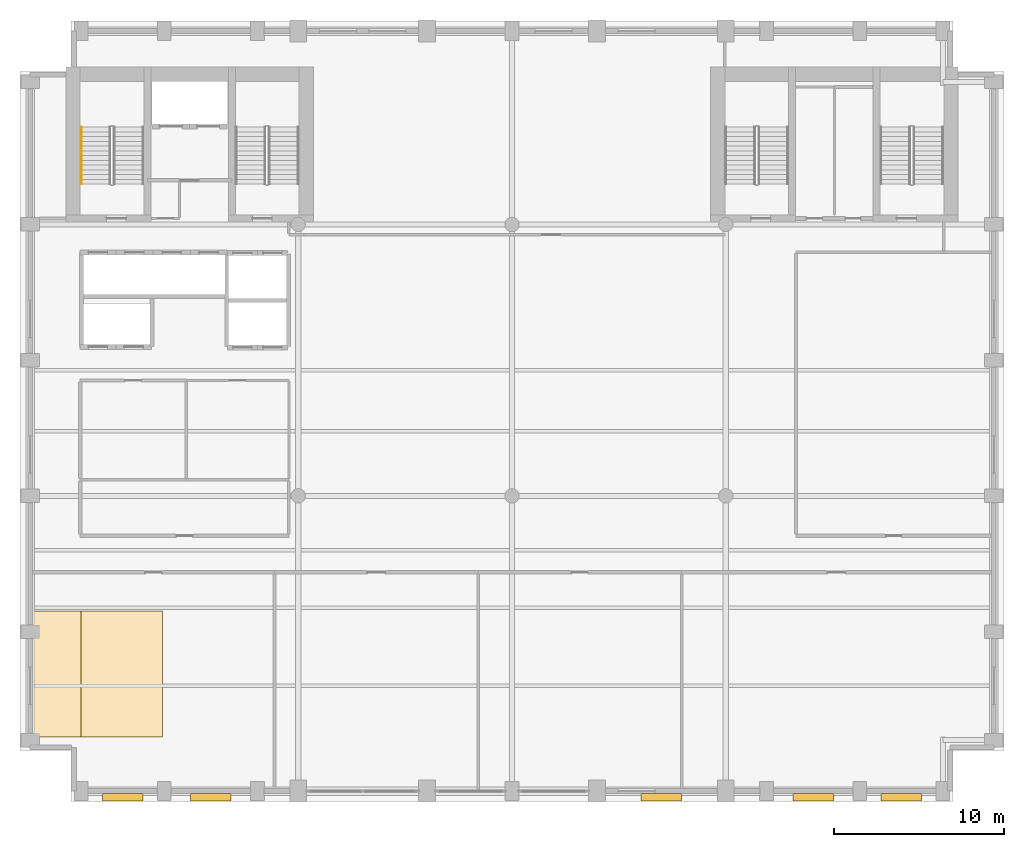
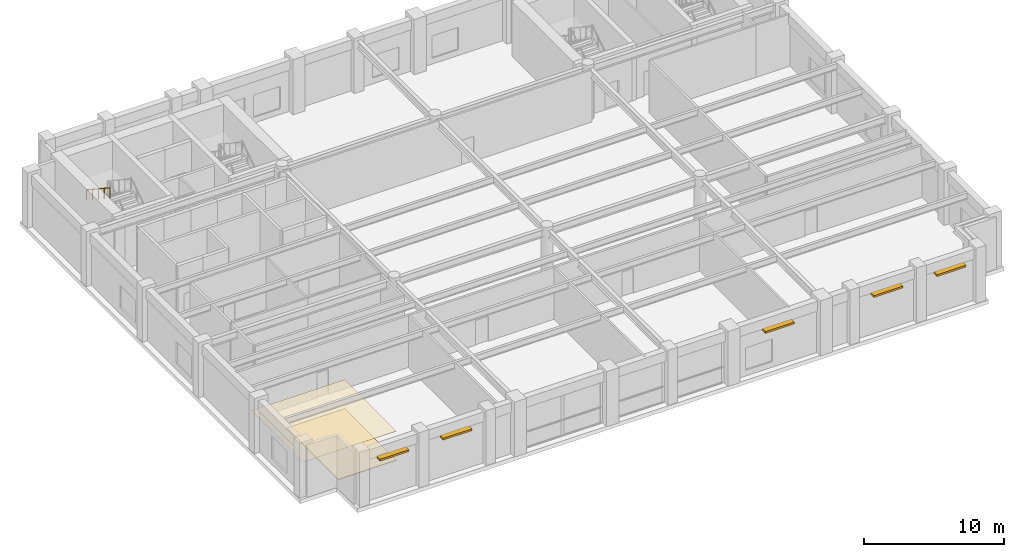
# One storey, part 8 of 10: 5 shading devices, 2 coverings, 1 railing.
"""IFC4 building model written with IfcOpenShell, lengths in metres."""

from ifc_helpers import new_model, si_unit, direction, frame, origin, origin_2d, place, context, subcontext, project, spatial, polyline, rectangle, circle, outline, extrude, material, layer, layer_set, type_object, element, save


model = new_model("IFC4")

# Units and contexts
model_context = context("Model", 3, precision=1e-05, world=origin(), true_north=direction((0.0, 1.0)))
body_context = subcontext(model_context, "Body", "Model", "MODEL_VIEW")
ifc_project = project(units=[si_unit("LENGTHUNIT", "METRE"), si_unit("AREAUNIT", "SQUARE_METRE"), si_unit("VOLUMEUNIT", "CUBIC_METRE"), si_unit("PLANEANGLEUNIT", "RADIAN"), si_unit("MASSUNIT", "GRAM", prefix="KILO")], contexts=[model_context])

# Site, building, storey
site_placement = place(None, origin())
site = spatial("IfcSite", under=ifc_project, at=site_placement, CompositionType="ELEMENT")
building_placement = place(site_placement, origin())
building = spatial("IfcBuilding", under=site, at=building_placement, Name="Sulina Concourse Tower", CompositionType="ELEMENT")
storey_placement = place(building_placement, frame((0.0, 0.0, 165.800048828125)))
storey = spatial("IfcBuildingStorey", under=building, at=storey_placement, Name="L40", CompositionType="ELEMENT", Elevation=165.800048828125)

# Shading devices
ifc_material_1 = material(Name="Precast concrete C50/60", Category="concrete")
shading_device_type = type_object("IfcShadingDeviceType", Name="Brutalist Precast Horizontal Sunshade Fin", PredefinedType="USERDEFINED", material=ifc_material_1)
for number, where, z_axis, x_axis, name in (
    (1, (6.050048828125, 0.235107421875, 3.4951171875), (0.0, 0.0, 1.0), (1.0, 0.0, 0.0), "L40 precast solar sunshade S1"),
    (2, (11.25, 0.235107421875, 3.4951171875), (0.0, 0.0, 1.0), (1.0, 0.0, 0.0), "L40 precast solar sunshade S2"),
    (3, (37.800048828125, 0.235107421875, 3.4951171875), (0.0, 0.0, 1.0), (1.0, 0.0, 0.0), "L40 precast solar sunshade S7"),
    (4, (46.75, 0.235107421875, 3.4951171875), (0.0, 0.0, 1.0), (1.0, 0.0, 0.0), "L40 precast solar sunshade S9"),
    (5, (51.949951171875, 0.235107421875, 3.4951171875), (0.0, 0.0, 1.0), (1.0, 0.0, 0.0), "L40 precast solar sunshade S10"),
):
    element("IfcShadingDevice", number, at=place(storey_placement, frame(where, z_axis=z_axis, x_axis=x_axis)), inside=storey, type_object=shading_device_type, Name=name, ObjectType="SUNSHADE", PredefinedType="USERDEFINED", context=body_context, shape_type="SweptSolid", body=[
        extrude(rectangle(XDim=2.39990234375, YDim=0.449951171875, at=origin_2d()), origin(), (0.0, 0.0, 1.0), 0.159912109375),
    ])

# Covering
ifc_material_2 = material(Name="Polished granite flooring", Category="masonry")
ifc_layer_1 = layer(ifc_material_2, 0.044921875)
ifc_layer_set_1 = layer_set([ifc_layer_1], Name="Polished granite flooring")
covering_type_1 = type_object("IfcCoveringType", Name="Polished Granite & Raised Access Flooring 45mm", PredefinedType="FLOORING", material=ifc_layer_set_1)
covering_1_placement = place(storey_placement, origin())
element("IfcCovering", 6, at=covering_1_placement, inside=storey, type_object=covering_type_1, Name="L40 raised access floor finish", PredefinedType="FLOORING", context=body_context, shape_type="SweptSolid", body=[
    extrude(outline(polyline([(3.60009765625, 3.800048828125), (8.39990234375, 3.800048828125), (8.39990234375, 11.199951171875), (3.60009765625, 11.199951171875), (3.60009765625, 3.800048828125)])), origin(), (0.0, 0.0, 1.0), 0.044921875),
])

# Railing
ifc_material_3 = material(Name="Galvanised steel railing", Category="steel")
railing_type = type_object("IfcRailingType", Name="Stair Wall Steel Handrail 920mm", PredefinedType="HANDRAIL", material=ifc_material_3)
railing_placement = place(storey_placement, frame((3.60498046875, 39.735107421875, 2.58447265625)))
element("IfcRailing", 7, at=railing_placement, inside=storey, type_object=railing_type, Name="L40 ST-1 stair handrail 2", PredefinedType="HANDRAIL", context=body_context, shape_type="SweptSolid", body=[
    extrude(circle(Radius=0.02392578125, at=origin_2d()), frame((0.0, 0.0, 0.89599609375), z_axis=(0.0, -0.834848600103, 0.550479622607), x_axis=(1.0, 0.0, 0.0)), (0.0, 0.0, 1.0), 4.02490234375),
    extrude(circle(Radius=0.02099609375, at=origin_2d()), origin(), (0.0, 0.0, 1.0), 0.871826171875),
    extrude(circle(Radius=0.02099609375, at=origin_2d()), frame((0.0, -0.840087890625, 0.553955078125)), (0.0, 0.0, 1.0), 0.871826171875),
    extrude(circle(Radius=0.02099609375, at=origin_2d()), frame((0.0, -1.68017578125, 1.10791015625)), (0.0, 0.0, 1.0), 0.871826171875),
    extrude(circle(Radius=0.02099609375, at=origin_2d()), frame((0.0, -2.52001953125, 1.66162109375)), (0.0, 0.0, 1.0), 0.871826171875),
    extrude(circle(Radius=0.02099609375, at=origin_2d()), frame((0.0, -3.360107421875, 2.215576171875)), (0.0, 0.0, 1.0), 0.871826171875),
])

# Covering
ifc_material_4 = material(Name="Acoustic mineral ceiling board")
ifc_layer_2 = layer(ifc_material_4, 0.02490234375)
ifc_layer_set_2 = layer_set([ifc_layer_2], Name="Acoustic mineral ceiling board")
covering_type_2 = type_object("IfcCoveringType", Name="Suspended Acoustic Mineral Ceiling 25mm", PredefinedType="CEILING", material=ifc_layer_set_2)
covering_2_placement = place(storey_placement, frame((0.0, 0.0, 2.550048828125)))
element("IfcCovering", 8, at=covering_2_placement, inside=storey, type_object=covering_type_2, Name="L40 suspended acoustic tile ceiling", PredefinedType="CEILING", context=body_context, shape_type="SweptSolid", body=[
    extrude(outline(polyline([(0.719970703125, 3.800048828125), (8.39990234375, 3.800048828125), (8.39990234375, 11.199951171875), (0.719970703125, 11.199951171875), (0.719970703125, 3.800048828125)])), origin(), (0.0, 0.0, 1.0), 0.02490234375),
])

save(model, "model.ifc")
